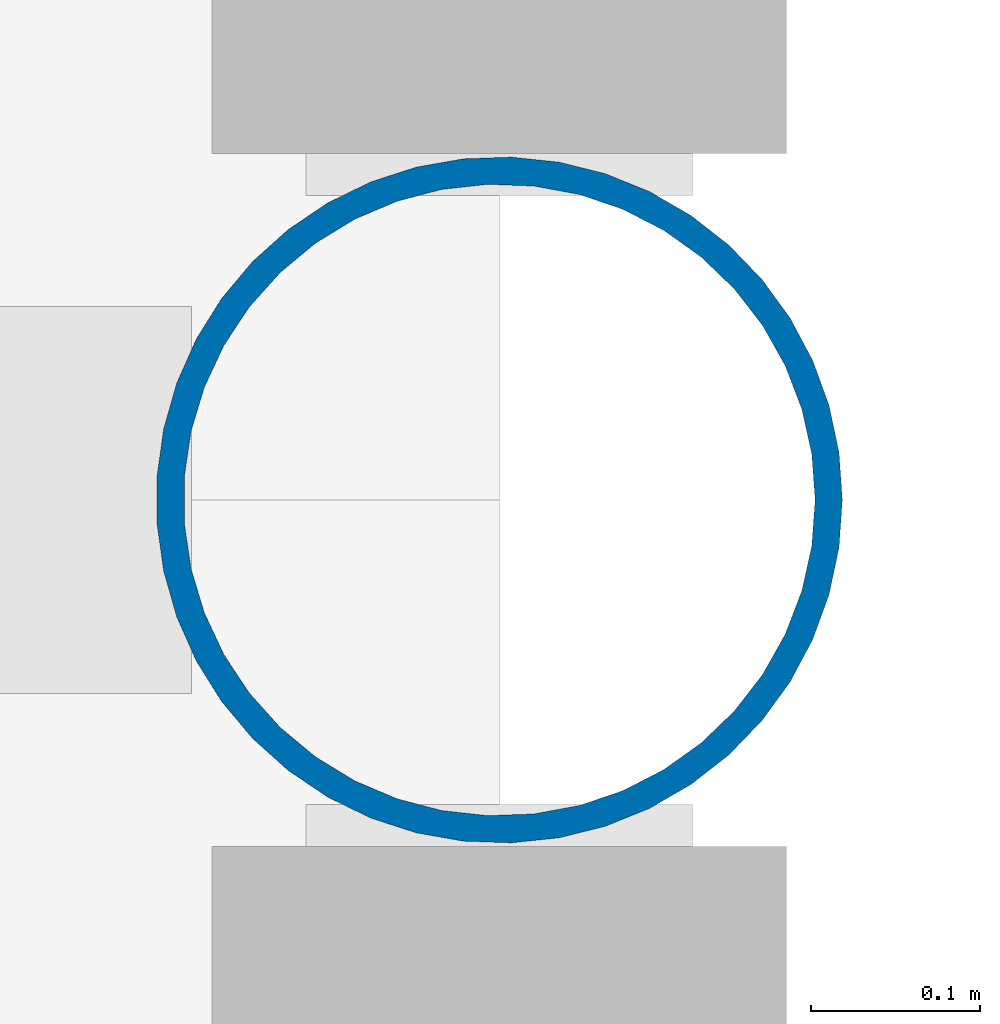
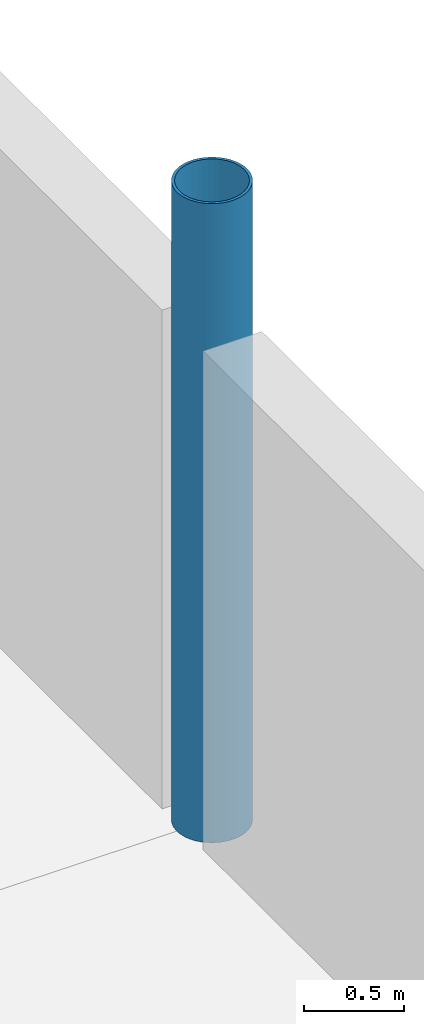
# One storey, part 13 of 96: 1 column.
"""IFC4 building model written with IfcOpenShell, lengths in metres."""

from ifc_helpers import new_model, si_unit, direction, frame, origin, origin_2d, place, context, subcontext, project, spatial, hollow_circle, extrude, material, material_profile, profile_set, type_object, element, save


model = new_model("IFC4")

# Units and contexts
model_context = context("Model", 3, precision=1e-05, world=origin(), true_north=direction((0.0, 1.0)))
body_context = subcontext(model_context, "Body", "Model", "MODEL_VIEW")
ifc_project = project(units=[si_unit("LENGTHUNIT", "METRE"), si_unit("AREAUNIT", "SQUARE_METRE"), si_unit("VOLUMEUNIT", "CUBIC_METRE"), si_unit("PLANEANGLEUNIT", "RADIAN"), si_unit("MASSUNIT", "GRAM", prefix="KILO")], contexts=[model_context])

# Site, building, storey
site_placement = place(None, origin())
site = spatial("IfcSite", under=ifc_project, at=site_placement, CompositionType="ELEMENT")
building_placement = place(site_placement, origin())
building = spatial("IfcBuilding", under=site, at=building_placement, Name="Kisiwana Market Hall", CompositionType="ELEMENT")
storey_placement = place(building_placement, frame((0.0, 0.0, 25.5)))
storey = spatial("IfcBuildingStorey", under=building, at=storey_placement, Name="L05", CompositionType="ELEMENT", Elevation=25.5)

# Column
ifc_material = material(Name="Steel S355", Category="steel")
ifc_material_profile = material_profile(ifc_material, hollow_circle(Radius=0.203125, WallThickness=0.01611328125, at=origin_2d()), Name="CHS 406.4x16")
ifc_profile_set = profile_set([ifc_material_profile], Name="Steel S355")
column_type = type_object("IfcColumnType", Name="COL-STL-CHS406", PredefinedType="COLUMN", material=ifc_profile_set)
column_placement = place(storey_placement, frame((198.0, 60.0, 0.0), z_axis=(0.0, 0.0, 1.0), x_axis=(1.0, 0.0, 0.0)))
element("IfcColumn", 1, at=column_placement, inside=storey, type_object=column_type, Name="Column H/23 (L05) C-0968", PredefinedType="COLUMN", context=body_context, shape_type="SweptSolid", body=[
    extrude(hollow_circle(Radius=0.203125, WallThickness=0.01611328125, at=origin_2d()), origin(), (0.0, 0.0, 1.0), 3.89990234375),
])

save(model, "model.ifc")
